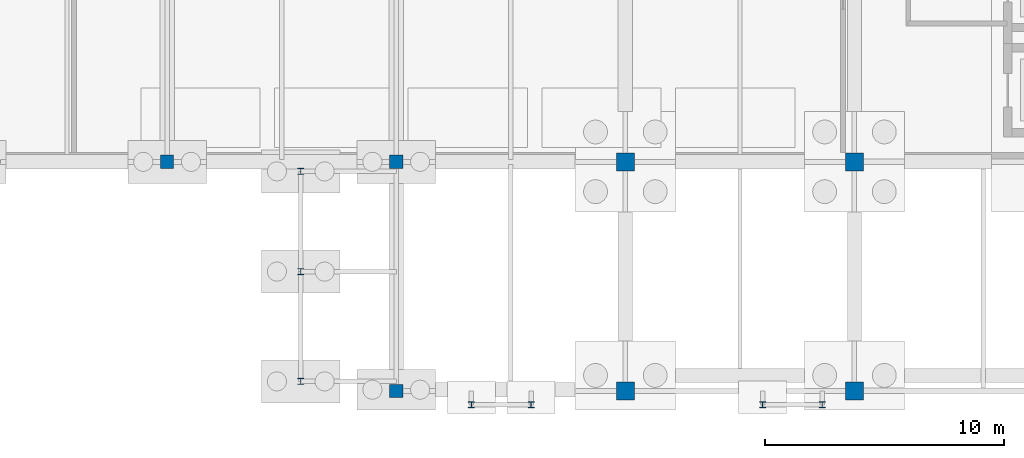
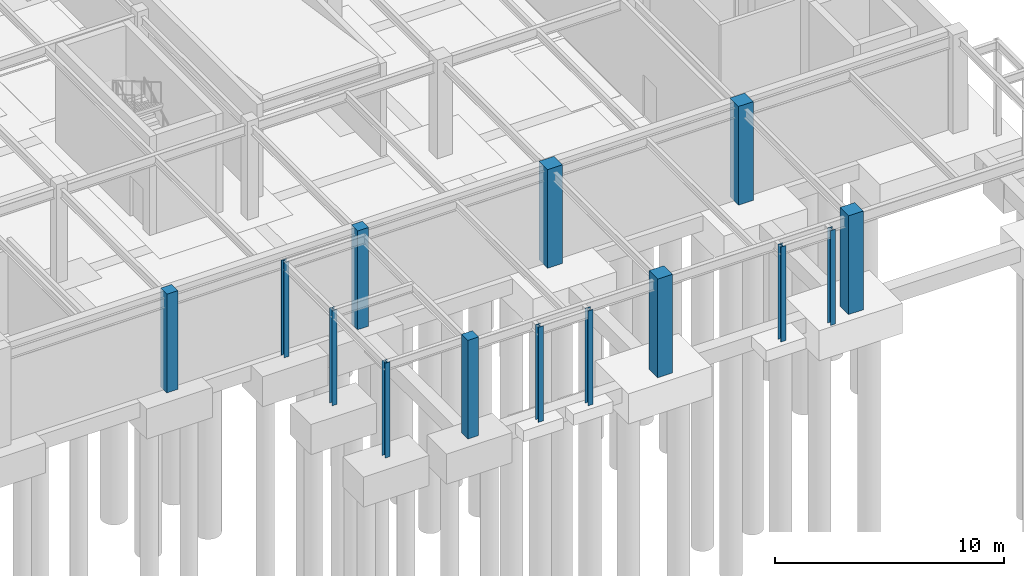
# One storey, part 29 of 55: 14 columns.
"""IFC4 building model written with IfcOpenShell, lengths in metres."""

from ifc_helpers import new_model, si_unit, direction, frame, origin, origin_2d, place, context, subcontext, project, spatial, rectangle, i_section, extrude, material, material_profile, profile_set, type_object, element, save


model = new_model("IFC4")

# Units and contexts
model_context = context("Model", 3, precision=1e-05, world=origin(), true_north=direction((0.0, 1.0)))
body_context = subcontext(model_context, "Body", "Model", "MODEL_VIEW")
ifc_project = project(units=[si_unit("LENGTHUNIT", "METRE"), si_unit("AREAUNIT", "SQUARE_METRE"), si_unit("VOLUMEUNIT", "CUBIC_METRE"), si_unit("PLANEANGLEUNIT", "RADIAN"), si_unit("MASSUNIT", "GRAM", prefix="KILO")], contexts=[model_context])

# Site, building, storey
site_placement = place(None, origin())
site = spatial("IfcSite", under=ifc_project, at=site_placement, CompositionType="ELEMENT")
building_placement = place(site_placement, origin())
building = spatial("IfcBuilding", under=site, at=building_placement, Name="Almandine Court Research Institute", CompositionType="ELEMENT")
storey_placement = place(building_placement, frame((0.0, 0.0, -5.25)))
storey = spatial("IfcBuildingStorey", under=building, at=storey_placement, Name="B1", CompositionType="ELEMENT", Elevation=-5.25)

# Columns
ifc_material_1 = material(Name="Concrete C40/50", Category="concrete")
ifc_material_profile_1 = material_profile(ifc_material_1, rectangle(XDim=0.75, YDim=0.75, at=origin_2d()), Name="RC 750x750")
ifc_profile_set_1 = profile_set([ifc_material_profile_1], Name="Concrete C40/50")
column_type_1 = type_object("IfcColumnType", Name="Col-C-RC1", PredefinedType="COLUMN", material=ifc_profile_set_1)
for number, where, z_axis, x_axis, name in (
    (1, (153.60009765625, 6.0, 0.0), (0.0, 0.0, 1.0), (1.0, 0.0, 0.0), "B1 V4 Column V4-X2Y1"),
    (2, (153.60009765625, 15.60009765625, 0.0), (0.0, 0.0, 1.0), (1.0, 0.0, 0.0), "B1 V4 Column V4-X2Y2"),
    (3, (163.199951171875, 6.0, 0.0), (0.0, 0.0, 1.0), (1.0, 0.0, 0.0), "B1 V4 Column V4-X3Y1"),
    (4, (163.199951171875, 15.60009765625, 0.0), (0.0, 0.0, 1.0), (1.0, 0.0, 0.0), "B1 V4 Column V4-X3Y2"),
):
    element("IfcColumn", number, at=place(storey_placement, frame(where, z_axis=z_axis, x_axis=x_axis)), inside=storey, type_object=column_type_1, Name=name, PredefinedType="COLUMN", context=body_context, shape_type="SweptSolid", body=[
        extrude(rectangle(XDim=0.75, YDim=0.75, at=origin_2d()), origin(), (0.0, 0.0, 1.0), 5.25),
    ])
ifc_material_profile_2 = material_profile(ifc_material_1, rectangle(XDim=0.550048828125, YDim=0.550048828125, at=origin_2d()), Name="RC 550x550")
ifc_profile_set_2 = profile_set([ifc_material_profile_2], Name="Concrete C40/50")
column_type_2 = type_object("IfcColumnType", Name="Col-C-RC3", PredefinedType="COLUMN", material=ifc_profile_set_2)
for number, where, z_axis, x_axis, name in (
    (5, (134.39990234375, 15.60009765625, 0.0), (0.0, 0.0, 1.0), (1.0, 0.0, 0.0), "B1 B1G Column B1G-X2Y1"),
    (6, (144.0, 15.60009765625, 0.0), (0.0, 0.0, 1.0), (1.0, 0.0, 0.0), "B1 B1G Column B1G-X3Y1"),
    (7, (144.0, 6.0, 0.0), (0.0, 0.0, 1.0), (1.0, 0.0, 0.0), "B1 V4 Column V4-X1Y1"),
):
    element("IfcColumn", number, at=place(storey_placement, frame(where, z_axis=z_axis, x_axis=x_axis)), inside=storey, type_object=column_type_2, Name=name, PredefinedType="COLUMN", context=body_context, shape_type="SweptSolid", body=[
        extrude(rectangle(XDim=0.550048828125, YDim=0.550048828125, at=origin_2d()), origin(), (0.0, 0.0, 1.0), 5.25),
    ])
ifc_material_2 = material(Name="Steel ASTM A992 Grade 50", Category="steel")
ifc_material_profile_3 = material_profile(ifc_material_2, i_section(OverallWidth=0.25390625, OverallDepth=0.2529296875, WebThickness=0.009033203125, FlangeThickness=0.013916015625, at=origin_2d()), Name="W250x73")
ifc_profile_set_3 = profile_set([ifc_material_profile_3], Name="Steel ASTM A992 Grade 50")
column_type_3 = type_object("IfcColumnType", Name="Col-C-W10", PredefinedType="COLUMN", material=ifc_profile_set_3)
for number, where, z_axis, x_axis, name in (
    (8, (140.0, 6.39990234375, 0.0), (0.0, 0.0, 1.0), (1.0, 0.0, 0.0), "B1 Exterior Threshold Support Column APR-V4-DOCK-C1"),
    (9, (140.0, 11.0, 0.0), (0.0, 0.0, 1.0), (1.0, 0.0, 0.0), "B1 Exterior Threshold Support Column APR-V4-DOCK-C2"),
    (10, (140.0, 15.199951171875, 0.0), (0.0, 0.0, 1.0), (1.0, 0.0, 0.0), "B1 Exterior Threshold Support Column APR-V4-DOCK-C3"),
    (11, (147.14990234375, 5.419921875, 0.0), (0.0, 0.0, 1.0), (1.0, 0.0, 0.0), "B1 Exterior Threshold Support Column PAD-V4-FCC-C1"),
    (12, (149.64990234375, 5.419921875, 0.0), (0.0, 0.0, 1.0), (1.0, 0.0, 0.0), "B1 Exterior Threshold Support Column PAD-V4-FCC-C2"),
    (13, (159.35009765625, 5.419921875, 0.0), (0.0, 0.0, 1.0), (1.0, 0.0, 0.0), "B1 Exterior Threshold Support Column PAD-V4-S2-C1"),
    (14, (161.85009765625, 5.419921875, 0.0), (0.0, 0.0, 1.0), (1.0, 0.0, 0.0), "B1 Exterior Threshold Support Column PAD-V4-S2-C2"),
):
    element("IfcColumn", number, at=place(storey_placement, frame(where, z_axis=z_axis, x_axis=x_axis)), inside=storey, type_object=column_type_3, Name=name, PredefinedType="COLUMN", context=body_context, shape_type="SweptSolid", body=[
        extrude(i_section(OverallWidth=0.25390625, OverallDepth=0.2529296875, WebThickness=0.009033203125, FlangeThickness=0.013916015625, at=origin_2d()), origin(), (0.0, 0.0, 1.0), 5.050048828125),
    ])

save(model, "model.ifc")
